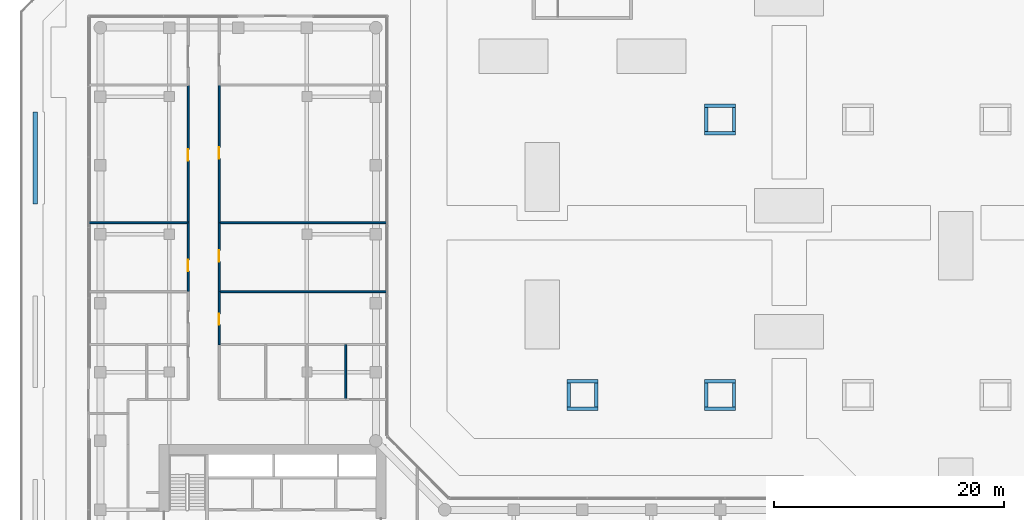
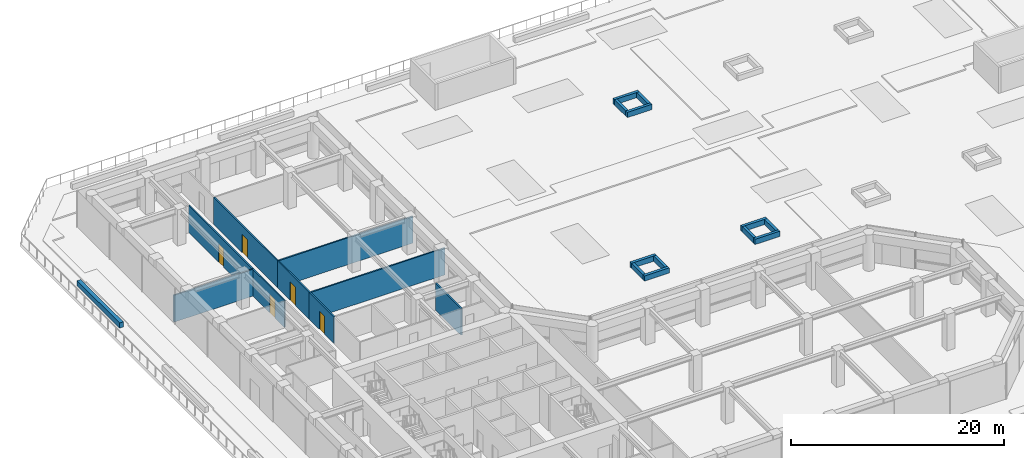
# One storey, part 26 of 31: 22 walls, 5 doors, 5 openings.
"""IFC4 building model written with IfcOpenShell, lengths in metres."""

from ifc_helpers import new_model, si_unit, direction, frame, frame_2d, origin, place, context, subcontext, project, spatial, rectangle, extrude, material, layer, layer_set, type_object, element, fill, save


model = new_model("IFC4")

# Units and contexts
model_context = context("Model", 3, precision=1e-05, world=origin(), true_north=direction((0.0, 1.0)))
body_context = subcontext(model_context, "Body", "Model", "MODEL_VIEW")
ifc_project = project(units=[si_unit("LENGTHUNIT", "METRE"), si_unit("AREAUNIT", "SQUARE_METRE"), si_unit("VOLUMEUNIT", "CUBIC_METRE"), si_unit("PLANEANGLEUNIT", "RADIAN"), si_unit("MASSUNIT", "GRAM", prefix="KILO")], contexts=[model_context])

# Site, building, storey
site_placement = place(None, origin())
site = spatial("IfcSite", under=ifc_project, at=site_placement, CompositionType="ELEMENT")
building_placement = place(site_placement, origin())
building = spatial("IfcBuilding", under=site, at=building_placement, Name="Welwitschia Terrace Campus", CompositionType="ELEMENT")
storey_placement = place(building_placement, frame((0.0, 0.0, 11.0)))
storey = spatial("IfcBuildingStorey", under=building, at=storey_placement, Name="L02", CompositionType="ELEMENT", Elevation=11.0)

# Wall
ifc_material_1 = material(Name="Gypsum board on steel studs", Category="steel")
ifc_layer_1 = layer(ifc_material_1, 0.14990234375)
ifc_layer_set_1 = layer_set([ifc_layer_1], Name="Gypsum board on steel studs")
wall_type_1 = type_object("IfcWallType", Name="Corridor partition 150 EI 30", PredefinedType="PARTITIONING", material=ifc_layer_set_1)
wall_1_placement = place(storey_placement, frame((-0.969970703125, 45.0, 0.0), z_axis=(0.0, 0.0, 1.0), x_axis=(1.0, 0.0, 0.0)))
element("IfcWall", 1, at=wall_1_placement, inside=storey, type_object=wall_type_1, Name="Partition", PredefinedType="PARTITIONING", context=body_context, shape_type="SweptSolid", body=[
    extrude(rectangle(XDim=8.619873046875, YDim=0.14990234375, at=frame_2d((4.31005859375, 0.0))), origin(), (0.0, 0.0, 1.0), 3.080078125),
])

# Wall, opening, door
wall_2_placement = place(storey_placement, frame((7.64990234375, 39.0, 0.0), z_axis=(0.0, 0.0, 1.0), x_axis=(0.0, 1.0, 0.0)))
wall_2 = element("IfcWall", 2, at=wall_2_placement, inside=storey, type_object=wall_type_1, Name="Partition", PredefinedType="PARTITIONING", context=body_context, shape_type="SweptSolid", body=[
    extrude(rectangle(XDim=6.0, YDim=0.14990234375, at=frame_2d((3.0, 0.0))), origin(), (0.0, 0.0, 1.0), 3.080078125),
])
opening_1_placement = place(wall_2_placement, frame((1.800048828125, 0.0, 0.0)))
opening_1 = element("IfcOpeningElement", 3, at=opening_1_placement, cuts=wall_2, Name="Opening DI10", PredefinedType="OPENING", context=body_context, shape_type="SweptSolid", body=[
    extrude(rectangle(XDim=1.0, YDim=2.10009765625, at=frame_2d((0.5, 1.050048828125))), frame((0.0, 0.0849609375, 0.0), z_axis=(0.0, -1.0, 0.0), x_axis=(1.0, 0.0, 0.0)), (0.0, 0.0, 1.0), 0.169921875),
])
ifc_material_2 = material(Name="Timber veneered door", Category="wood")
door_type = type_object("IfcDoorType", Name="Interior door DI10", OperationType="NOTDEFINED", PredefinedType="DOOR", material=ifc_material_2)
door_1_placement = place(opening_1_placement, origin())
door_1 = element("IfcDoor", 4, at=door_1_placement, inside=storey, type_object=door_type, Name="Door L02 098", OperationType="SINGLE_SWING_LEFT", OverallHeight=2.10009765625, OverallWidth=1.0, PredefinedType="DOOR", context=body_context, shape_type="SweptSolid", body=[
    extrude(rectangle(XDim=1.0, YDim=2.10009765625, at=frame_2d((0.5, 1.050048828125))), frame((0.0, 0.02490234375, 0.0), z_axis=(0.0, -1.0, 0.0), x_axis=(1.0, 0.0, 0.0)), (0.0, 0.0, 1.0), 0.050048828125),
])
fill(opening_1, door_1)

wall_3_placement = place(storey_placement, frame((7.64990234375, 45.0, 0.0), z_axis=(0.0, 0.0, 1.0), x_axis=(0.0, 1.0, 0.0)))
wall_3 = element("IfcWall", 5, at=wall_3_placement, inside=storey, type_object=wall_type_1, Name="Partition", PredefinedType="PARTITIONING", context=body_context, shape_type="SweptSolid", body=[
    extrude(rectangle(XDim=12.0, YDim=0.14990234375, at=frame_2d((6.0, 0.0))), origin(), (0.0, 0.0, 1.0), 3.080078125),
])
opening_2_placement = place(wall_3_placement, frame((5.39990234375, 0.0, 0.0)))
opening_2 = element("IfcOpeningElement", 6, at=opening_2_placement, cuts=wall_3, Name="Opening DI10", PredefinedType="OPENING", context=body_context, shape_type="SweptSolid", body=[
    extrude(rectangle(XDim=1.0, YDim=2.10009765625, at=frame_2d((0.5, 1.050048828125))), frame((0.0, 0.0849609375, 0.0), z_axis=(0.0, -1.0, 0.0), x_axis=(1.0, 0.0, 0.0)), (0.0, 0.0, 1.0), 0.169921875),
])
door_2_placement = place(opening_2_placement, origin())
door_2 = element("IfcDoor", 7, at=door_2_placement, inside=storey, type_object=door_type, Name="Door L02 099", OperationType="SINGLE_SWING_RIGHT", OverallHeight=2.10009765625, OverallWidth=1.0, PredefinedType="DOOR", context=body_context, shape_type="SweptSolid", body=[
    extrude(rectangle(XDim=1.0, YDim=2.10009765625, at=frame_2d((0.5, 1.050048828125))), frame((0.0, 0.02490234375, 0.0), z_axis=(0.0, -1.0, 0.0), x_axis=(1.0, 0.0, 0.0)), (0.0, 0.0, 1.0), 0.050048828125),
])
fill(opening_2, door_2)

wall_4_placement = place(storey_placement, frame((10.35009765625, 39.0, 0.0), z_axis=(0.0, 0.0, 1.0), x_axis=(0.0, -1.0, 0.0)))
wall_4 = element("IfcWall", 8, at=wall_4_placement, inside=storey, type_object=wall_type_1, Name="Partition", PredefinedType="PARTITIONING", context=body_context, shape_type="SweptSolid", body=[
    extrude(rectangle(XDim=4.60009765625, YDim=0.14990234375, at=frame_2d((2.300048828125, 0.0))), origin(), (0.0, 0.0, 1.0), 3.080078125),
])
opening_3_placement = place(wall_4_placement, frame((1.89990234375, 0.0, 0.0)))
opening_3 = element("IfcOpeningElement", 9, at=opening_3_placement, cuts=wall_4, Name="Opening DI10", PredefinedType="OPENING", context=body_context, shape_type="SweptSolid", body=[
    extrude(rectangle(XDim=1.0, YDim=2.10009765625, at=frame_2d((0.5, 1.050048828125))), frame((0.0, 0.0849609375, 0.0), z_axis=(0.0, -1.0, 0.0), x_axis=(1.0, 0.0, 0.0)), (0.0, 0.0, 1.0), 0.169921875),
])
door_3_placement = place(opening_3_placement, origin())
door_3 = element("IfcDoor", 10, at=door_3_placement, inside=storey, type_object=door_type, Name="Door L02 101", OperationType="SINGLE_SWING_RIGHT", OverallHeight=2.10009765625, OverallWidth=1.0, PredefinedType="DOOR", context=body_context, shape_type="SweptSolid", body=[
    extrude(rectangle(XDim=1.0, YDim=2.10009765625, at=frame_2d((0.5, 1.050048828125))), frame((0.0, 0.02490234375, 0.0), z_axis=(0.0, -1.0, 0.0), x_axis=(1.0, 0.0, 0.0)), (0.0, 0.0, 1.0), 0.050048828125),
])
fill(opening_3, door_3)

# Wall
wall_5_placement = place(storey_placement, frame((10.35009765625, 39.0, 0.0), z_axis=(0.0, 0.0, 1.0), x_axis=(1.0, 0.0, 0.0)))
element("IfcWall", 11, at=wall_5_placement, inside=storey, type_object=wall_type_1, Name="Partition", PredefinedType="PARTITIONING", context=body_context, shape_type="SweptSolid", body=[
    extrude(rectangle(XDim=14.619873046875, YDim=0.14990234375, at=frame_2d((7.31005859375, 0.0))), origin(), (0.0, 0.0, 1.0), 3.080078125),
])

# Wall, opening, door
wall_6_placement = place(storey_placement, frame((10.35009765625, 45.0, 0.0), z_axis=(0.0, 0.0, 1.0), x_axis=(0.0, -1.0, 0.0)))
wall_6 = element("IfcWall", 12, at=wall_6_placement, inside=storey, type_object=wall_type_1, Name="Partition", PredefinedType="PARTITIONING", context=body_context, shape_type="SweptSolid", body=[
    extrude(rectangle(XDim=6.0, YDim=0.14990234375, at=frame_2d((3.0, 0.0))), origin(), (0.0, 0.0, 1.0), 3.080078125),
])
opening_4_placement = place(wall_6_placement, frame((2.39990234375, 0.0, 0.0)))
opening_4 = element("IfcOpeningElement", 13, at=opening_4_placement, cuts=wall_6, Name="Opening DI10", PredefinedType="OPENING", context=body_context, shape_type="SweptSolid", body=[
    extrude(rectangle(XDim=1.0, YDim=2.10009765625, at=frame_2d((0.5, 1.050048828125))), frame((0.0, 0.0849609375, 0.0), z_axis=(0.0, -1.0, 0.0), x_axis=(1.0, 0.0, 0.0)), (0.0, 0.0, 1.0), 0.169921875),
])
door_4_placement = place(opening_4_placement, origin())
door_4 = element("IfcDoor", 14, at=door_4_placement, inside=storey, type_object=door_type, Name="Door L02 102", OperationType="SINGLE_SWING_LEFT", OverallHeight=2.10009765625, OverallWidth=1.0, PredefinedType="DOOR", context=body_context, shape_type="SweptSolid", body=[
    extrude(rectangle(XDim=1.0, YDim=2.10009765625, at=frame_2d((0.5, 1.050048828125))), frame((0.0, 0.02490234375, 0.0), z_axis=(0.0, -1.0, 0.0), x_axis=(1.0, 0.0, 0.0)), (0.0, 0.0, 1.0), 0.050048828125),
])
fill(opening_4, door_4)

# Wall
wall_7_placement = place(storey_placement, frame((10.35009765625, 45.0, 0.0), z_axis=(0.0, 0.0, 1.0), x_axis=(1.0, 0.0, 0.0)))
element("IfcWall", 15, at=wall_7_placement, inside=storey, type_object=wall_type_1, Name="Partition", PredefinedType="PARTITIONING", context=body_context, shape_type="SweptSolid", body=[
    extrude(rectangle(XDim=14.619873046875, YDim=0.14990234375, at=frame_2d((7.31005859375, 0.0))), origin(), (0.0, 0.0, 1.0), 3.080078125),
])

# Wall, opening, door
wall_8_placement = place(storey_placement, frame((10.35009765625, 57.0, 0.0), z_axis=(0.0, 0.0, 1.0), x_axis=(0.0, -1.0, 0.0)))
wall_8 = element("IfcWall", 16, at=wall_8_placement, inside=storey, type_object=wall_type_1, Name="Partition", PredefinedType="PARTITIONING", context=body_context, shape_type="SweptSolid", body=[
    extrude(rectangle(XDim=12.0, YDim=0.14990234375, at=frame_2d((6.0, 0.0))), origin(), (0.0, 0.0, 1.0), 3.080078125),
])
opening_5_placement = place(wall_8_placement, frame((5.39990234375, 0.0, 0.0)))
opening_5 = element("IfcOpeningElement", 17, at=opening_5_placement, cuts=wall_8, Name="Opening DI10", PredefinedType="OPENING", context=body_context, shape_type="SweptSolid", body=[
    extrude(rectangle(XDim=1.0, YDim=2.10009765625, at=frame_2d((0.5, 1.050048828125))), frame((0.0, 0.0849609375, 0.0), z_axis=(0.0, -1.0, 0.0), x_axis=(1.0, 0.0, 0.0)), (0.0, 0.0, 1.0), 0.169921875),
])
door_5_placement = place(opening_5_placement, origin())
door_5 = element("IfcDoor", 18, at=door_5_placement, inside=storey, type_object=door_type, Name="Door L02 103", OperationType="SINGLE_SWING_RIGHT", OverallHeight=2.10009765625, OverallWidth=1.0, PredefinedType="DOOR", context=body_context, shape_type="SweptSolid", body=[
    extrude(rectangle(XDim=1.0, YDim=2.10009765625, at=frame_2d((0.5, 1.050048828125))), frame((0.0, 0.02490234375, 0.0), z_axis=(0.0, -1.0, 0.0), x_axis=(1.0, 0.0, 0.0)), (0.0, 0.0, 1.0), 0.050048828125),
])
fill(opening_5, door_5)

# Walls
wall_9_placement = place(storey_placement, frame((21.3701171875, 29.60009765625, 0.0), z_axis=(0.0, 0.0, 1.0), x_axis=(0.0, 1.0, 0.0)))
element("IfcWall", 19, at=wall_9_placement, inside=storey, type_object=wall_type_1, Name="Partition", PredefinedType="PARTITIONING", context=body_context, shape_type="SweptSolid", body=[
    extrude(rectangle(XDim=4.7998046875, YDim=0.14990234375, at=frame_2d((2.39990234375, 0.0))), origin(), (0.0, 0.0, 1.0), 3.080078125),
])
ifc_material_3 = material(Name="Concrete C40/50", Category="concrete")
ifc_layer_2 = layer(ifc_material_3, 0.39990234375)
ifc_layer_set_2 = layer_set([ifc_layer_2], Name="Concrete C40/50")
wall_type_2 = type_object("IfcWallType", Name="Planter wall 400", PredefinedType="SOLIDWALL", material=ifc_layer_set_2)
wall_10_placement = place(storey_placement, frame((-5.679931640625, 46.635498046875, 0.0), z_axis=(0.0, 0.0, 1.0), x_axis=(0.0, 1.0, 0.0)))
element("IfcWall", 20, at=wall_10_placement, inside=storey, type_object=wall_type_2, Name="PLANTER", PredefinedType="SOLIDWALL", context=body_context, shape_type="SweptSolid", body=[
    extrude(rectangle(XDim=8.0, YDim=0.39990234375, at=frame_2d((4.0, 0.0))), origin(), (0.0, 0.0, 1.0), 0.60009765625),
])
ifc_material_4 = material(Name="Concrete C40/50", Category="concrete")
ifc_layer_3 = layer(ifc_material_4, 0.300048828125)
ifc_layer_set_3 = layer_set([ifc_layer_3], Name="Concrete C40/50")
wall_type_3 = type_object("IfcWallType", Name="Tree pit wall 300", PredefinedType="SOLIDWALL", material=ifc_layer_set_3)
for number, where, z_axis, x_axis, name in (
    (21, (40.64990234375, 28.800048828125, 0.0), (0.0, 0.0, 1.0), (1.0, 0.0, 0.0), "PLANTER"),
    (22, (40.64990234375, 31.199951171875, 0.0), (0.0, 0.0, 1.0), (1.0, 0.0, 0.0), "PLANTER"),
):
    element("IfcWall", number, at=place(storey_placement, frame(where, z_axis=z_axis, x_axis=x_axis)), inside=storey, type_object=wall_type_3, Name=name, PredefinedType="SOLIDWALL", context=body_context, shape_type="SweptSolid", body=[
        extrude(rectangle(XDim=2.7001953125, YDim=0.300048828125, at=frame_2d((1.35009765625, 0.0))), origin(), (0.0, 0.0, 1.0), 0.60009765625),
    ])
for number, where, z_axis, x_axis, name in (
    (23, (40.800048828125, 28.949951171875, 0.0), (0.0, 0.0, 1.0), (0.0, 1.0, 0.0), "PLANTER"),
    (24, (43.199951171875, 28.949951171875, 0.0), (0.0, 0.0, 1.0), (0.0, 1.0, 0.0), "PLANTER"),
):
    element("IfcWall", number, at=place(storey_placement, frame(where, z_axis=z_axis, x_axis=x_axis)), inside=storey, type_object=wall_type_3, Name=name, PredefinedType="SOLIDWALL", context=body_context, shape_type="SweptSolid", body=[
        extrude(rectangle(XDim=2.10009765625, YDim=0.300048828125, at=frame_2d((1.050048828125, 0.0))), origin(), (0.0, 0.0, 1.0), 0.60009765625),
    ])
for number, where, z_axis, x_axis, name in (
    (25, (52.64990234375, 28.800048828125, 0.0), (0.0, 0.0, 1.0), (1.0, 0.0, 0.0), "PLANTER"),
    (26, (52.64990234375, 31.199951171875, 0.0), (0.0, 0.0, 1.0), (1.0, 0.0, 0.0), "PLANTER"),
):
    element("IfcWall", number, at=place(storey_placement, frame(where, z_axis=z_axis, x_axis=x_axis)), inside=storey, type_object=wall_type_3, Name=name, PredefinedType="SOLIDWALL", context=body_context, shape_type="SweptSolid", body=[
        extrude(rectangle(XDim=2.7001953125, YDim=0.300048828125, at=frame_2d((1.35009765625, 0.0))), origin(), (0.0, 0.0, 1.0), 0.60009765625),
    ])
for number, where, z_axis, x_axis, name in (
    (27, (52.800048828125, 28.949951171875, 0.0), (0.0, 0.0, 1.0), (0.0, 1.0, 0.0), "PLANTER"),
    (28, (55.199951171875, 28.949951171875, 0.0), (0.0, 0.0, 1.0), (0.0, 1.0, 0.0), "PLANTER"),
):
    element("IfcWall", number, at=place(storey_placement, frame(where, z_axis=z_axis, x_axis=x_axis)), inside=storey, type_object=wall_type_3, Name=name, PredefinedType="SOLIDWALL", context=body_context, shape_type="SweptSolid", body=[
        extrude(rectangle(XDim=2.10009765625, YDim=0.300048828125, at=frame_2d((1.050048828125, 0.0))), origin(), (0.0, 0.0, 1.0), 0.60009765625),
    ])
for number, where, z_axis, x_axis, name in (
    (29, (52.64990234375, 52.800048828125, 0.0), (0.0, 0.0, 1.0), (1.0, 0.0, 0.0), "PLANTER"),
    (30, (52.64990234375, 55.199951171875, 0.0), (0.0, 0.0, 1.0), (1.0, 0.0, 0.0), "PLANTER"),
):
    element("IfcWall", number, at=place(storey_placement, frame(where, z_axis=z_axis, x_axis=x_axis)), inside=storey, type_object=wall_type_3, Name=name, PredefinedType="SOLIDWALL", context=body_context, shape_type="SweptSolid", body=[
        extrude(rectangle(XDim=2.7001953125, YDim=0.300048828125, at=frame_2d((1.35009765625, 0.0))), origin(), (0.0, 0.0, 1.0), 0.60009765625),
    ])
for number, where, z_axis, x_axis, name in (
    (31, (52.800048828125, 52.949951171875, 0.0), (0.0, 0.0, 1.0), (0.0, 1.0, 0.0), "PLANTER"),
    (32, (55.199951171875, 52.949951171875, 0.0), (0.0, 0.0, 1.0), (0.0, 1.0, 0.0), "PLANTER"),
):
    element("IfcWall", number, at=place(storey_placement, frame(where, z_axis=z_axis, x_axis=x_axis)), inside=storey, type_object=wall_type_3, Name=name, PredefinedType="SOLIDWALL", context=body_context, shape_type="SweptSolid", body=[
        extrude(rectangle(XDim=2.10009765625, YDim=0.300048828125, at=frame_2d((1.050048828125, 0.0))), origin(), (0.0, 0.0, 1.0), 0.60009765625),
    ])

save(model, "model.ifc")
